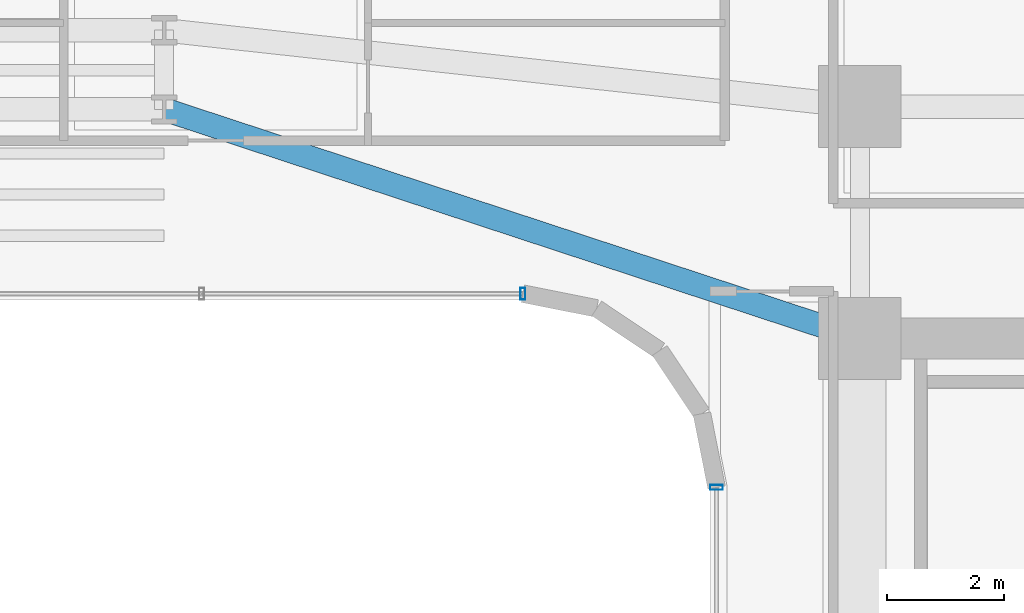
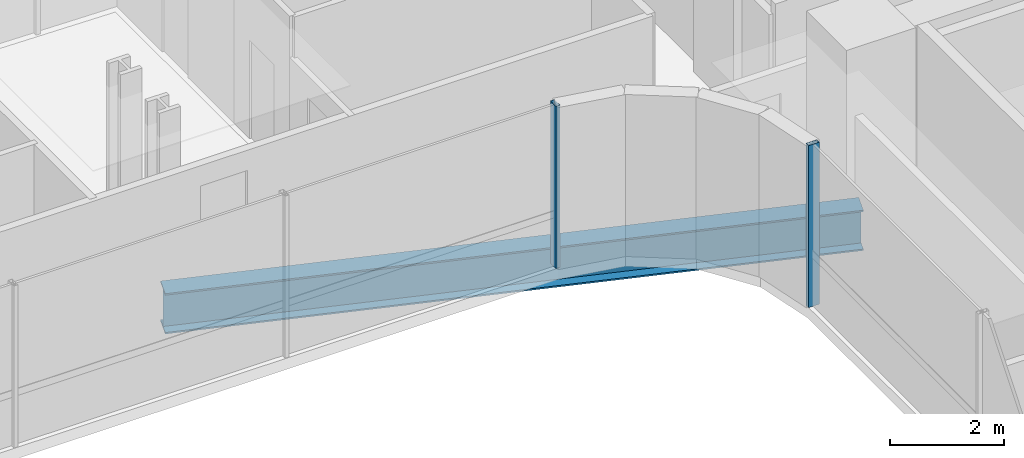
# One storey, part 16 of 41: 2 members, 1 beam, 2 elements without a shape of their own.
"""IFC4 building model written with IfcOpenShell, lengths in metres."""

from ifc_helpers import new_model, si_unit, direction, frame, origin, origin_2d, place, context, subcontext, project, spatial, hollow_rectangle, i_section, extrude, source, transform, mapped, material, material_profile, profile_set, type_object, element, aggregate, save


model = new_model("IFC4")

# Units and contexts
model_context = context("Model", 3, precision=1e-05, world=origin(), true_north=direction((0.0, 1.0)))
body_context = subcontext(model_context, "Body", "Model", "MODEL_VIEW")
ifc_project = project(units=[si_unit("LENGTHUNIT", "METRE"), si_unit("AREAUNIT", "SQUARE_METRE"), si_unit("VOLUMEUNIT", "CUBIC_METRE"), si_unit("PLANEANGLEUNIT", "RADIAN"), si_unit("MASSUNIT", "GRAM", prefix="KILO")], contexts=[model_context])

# Site, building, storey
site_placement = place(None, origin())
site = spatial("IfcSite", under=ifc_project, at=site_placement, CompositionType="ELEMENT")
building_placement = place(site_placement, origin())
building = spatial("IfcBuilding", under=site, at=building_placement, Name="Valdorenza Pilgrim Sanctuary Tower", CompositionType="ELEMENT")
storey_placement = place(building_placement, frame((0.0, 0.0, 59.300048828125)))
storey = spatial("IfcBuildingStorey", under=building, at=storey_placement, Name="L14", CompositionType="ELEMENT", Elevation=59.300048828125)

# Beam
ifc_material_1 = material(Name="Steel ASTM A992 Grade 50", Category="steel")
ifc_material_profile_1 = material_profile(ifc_material_1, i_section(OverallWidth=0.39990234375, OverallDepth=0.862060546875, WebThickness=0.019775390625, FlangeThickness=0.032470703125, at=origin_2d()), Name="W33X221")
ifc_profile_set_1 = profile_set([ifc_material_profile_1], Name="Steel ASTM A992 Grade 50")
beam_type = type_object("IfcBeamType", Name="STR-BM-GRD-W33", PredefinedType="BEAM", material=ifc_profile_set_1)
shared_shape_1 = source(origin(), body_context, "Body", "SweptSolid", [
    extrude(i_section(OverallWidth=0.39990234375, OverallDepth=0.862060546875, WebThickness=0.019775390625, FlangeThickness=0.032470703125, at=origin_2d()), origin(), (0.0, 0.0, 1.0), 12.475341796875),
])
beam_placement = place(storey_placement, frame((4.0, 13.449951171875, -0.671142578125), z_axis=(0.949881908141, -0.312608957943, 0.0), x_axis=(0.312608957943, 0.949881908141, 0.0)))
element("IfcBeam", 1, at=beam_placement, inside=storey, type_object=beam_type, Name="L14 Floor Girder KNK-G3", PredefinedType="BEAM", context=body_context, shape_type="MappedRepresentation", body=[
    mapped(shared_shape_1, transform((0.0, 0.0, 0.0), x_axis=(1.0, 0.0, 0.0), y_axis=(0.0, 1.0, 0.0), z_axis=(0.0, 0.0, 1.0), scale=1.0)),
])

# Curtain wall, member
ifc_material_2 = material(Name="Curtain-wall IGU glazing", Category="glass")
curtain_wall_type_1 = type_object("IfcCurtainWallType", Name="CW-SYS-02", PredefinedType="NOTDEFINED", material=ifc_material_2)
curtain_wall_1_placement = place(storey_placement, origin())
curtain_wall_1 = element("IfcCurtainWall", 2, at=curtain_wall_1_placement, inside=storey, type_object=curtain_wall_type_1, Name="L14 Curtain Wall CW-L14-1-36", PredefinedType="NOTDEFINED")
ifc_material_3 = material(Name="Anodised aluminium AW-6060", Category="aluminium")
ifc_material_profile_2 = material_profile(ifc_material_3, hollow_rectangle(XDim=0.0849609375, YDim=0.199951171875, WallThickness=0.0048828125, at=origin_2d()), Name="ALU-M 200x85x5")
ifc_profile_set_2 = profile_set([ifc_material_profile_2], Name="Anodised aluminium AW-6060")
member_type_1 = type_object("IfcMemberType", Name="CW-MUL-02", PredefinedType="MULLION", material=ifc_profile_set_2)
shared_shape_2 = source(origin(), body_context, "Body", "SweptSolid", [
    extrude(hollow_rectangle(XDim=0.0849609375, YDim=0.199951171875, WallThickness=0.0048828125, at=origin_2d()), origin(), (0.0, 0.0, 1.0), 3.4599609375),
])
member_1_placement = place(storey_placement, frame((10.11083984375, 10.31005859375, 0.0), z_axis=(0.0, 0.0, 1.0), x_axis=(-1.0, 0.0, 0.0)))
member_1 = element("IfcMember", 3, at=member_1_placement, type_object=member_type_1, Name="CW-L14-1-36 Mullion 1", PredefinedType="MULLION", context=body_context, shape_type="MappedRepresentation", body=[
    mapped(shared_shape_2, transform((0.0, 0.0, 0.0), x_axis=(1.0, 0.0, 0.0), y_axis=(0.0, 1.0, 0.0), z_axis=(0.0, 0.0, 1.0), scale=1.0)),
])
aggregate(curtain_wall_1, [member_1])

curtain_wall_type_2 = type_object("IfcCurtainWallType", Name="CW-SYS-03", PredefinedType="NOTDEFINED", material=ifc_material_2)
curtain_wall_2_placement = place(storey_placement, origin())
curtain_wall_2 = element("IfcCurtainWall", 4, at=curtain_wall_2_placement, inside=storey, type_object=curtain_wall_type_2, Name="L14 Curtain Wall CW-L14-1-31", PredefinedType="NOTDEFINED")
ifc_material_profile_3 = material_profile(ifc_material_3, hollow_rectangle(XDim=0.0849609375, YDim=0.219970703125, WallThickness=0.0048828125, at=origin_2d()), Name="ALU-M 220x85x5")
ifc_profile_set_3 = profile_set([ifc_material_profile_3], Name="Anodised aluminium AW-6060")
member_type_2 = type_object("IfcMemberType", Name="CW-MUL-03", PredefinedType="MULLION", material=ifc_profile_set_3)
shared_shape_3 = source(origin(), body_context, "Body", "SweptSolid", [
    extrude(hollow_rectangle(XDim=0.0849609375, YDim=0.219970703125, WallThickness=0.0048828125, at=origin_2d()), origin(), (0.0, 0.0, 1.0), 3.4599609375),
])
member_2_placement = place(storey_placement, frame((13.409912109375, 7.0107421875, 0.0), z_axis=(0.0, 0.0, 1.0), x_axis=(0.0, 1.0, 0.0)))
member_2 = element("IfcMember", 5, at=member_2_placement, type_object=member_type_2, Name="CW-L14-1-31 Mullion 4", PredefinedType="MULLION", context=body_context, shape_type="MappedRepresentation", body=[
    mapped(shared_shape_3, transform((0.0, 0.0, 0.0), x_axis=(1.0, 0.0, 0.0), y_axis=(0.0, 1.0, 0.0), z_axis=(0.0, 0.0, 1.0), scale=1.0)),
])
aggregate(curtain_wall_2, [member_2])

save(model, "model.ifc")
